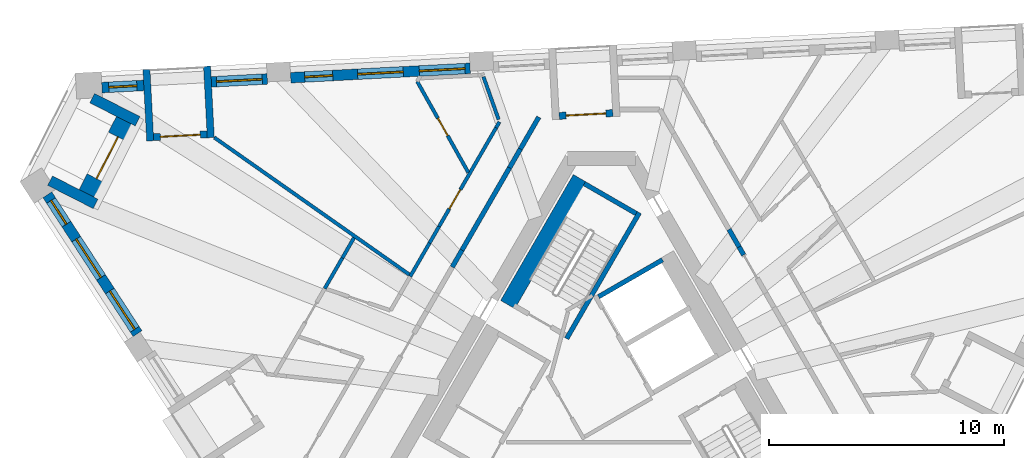
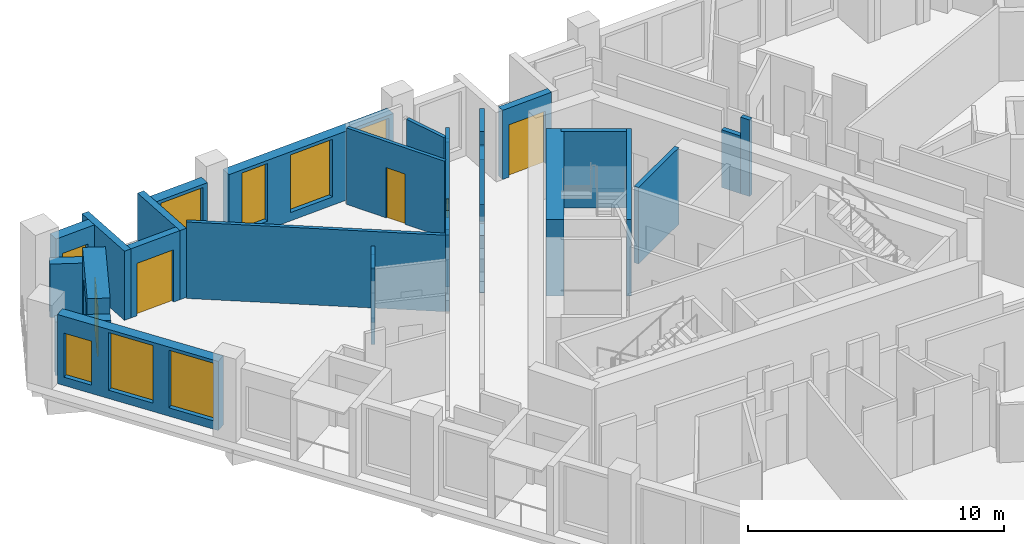
# One storey, part 7 of 13: 30 walls, 8 windows, 5 doors, 13 openings.
"""IFC4 building model written with IfcOpenShell, lengths in metres."""

from ifc_helpers import new_model, si_unit, direction, frame, frame_2d, origin, place, context, subcontext, project, spatial, rectangle, extrude, material, layer, layer_set, type_object, element, fill, save


model = new_model("IFC4")

# Units and contexts
model_context = context("Model", 3, precision=1e-05, world=origin(), true_north=direction((0.0, 1.0)))
body_context = subcontext(model_context, "Body", "Model", "MODEL_VIEW")
ifc_project = project(units=[si_unit("LENGTHUNIT", "METRE"), si_unit("AREAUNIT", "SQUARE_METRE"), si_unit("VOLUMEUNIT", "CUBIC_METRE"), si_unit("PLANEANGLEUNIT", "RADIAN"), si_unit("MASSUNIT", "GRAM", prefix="KILO")], contexts=[model_context])

# Site, building, storey
site_placement = place(None, origin())
site = spatial("IfcSite", under=ifc_project, at=site_placement, CompositionType="ELEMENT")
building_placement = place(site_placement, origin())
building = spatial("IfcBuilding", under=site, at=building_placement, Name="Tramontana Tower", CompositionType="ELEMENT")
storey_placement = place(building_placement, frame((0.0, 0.0, 294.39990234375)))
storey = spatial("IfcBuildingStorey", under=building, at=storey_placement, Name="L69", CompositionType="ELEMENT", Elevation=294.39990234375)

# Walls
ifc_material_1 = material(Name="Blockwork", Category="masonry")
ifc_layer_1 = layer(ifc_material_1, 0.199951171875)
ifc_layer_set_1 = layer_set([ifc_layer_1], Name="ENTRY WALL 200")
wall_type_1 = type_object("IfcWallType", Name="ENTRY WALL 200", PredefinedType="SOLIDWALL", material=ifc_layer_set_1)
wall_1_placement = place(storey_placement, frame((-6.36328125, 6.07861328125, 0.0), z_axis=(0.0, 0.0, 1.0), x_axis=(0.499950631041, 0.86605390509, 0.0)))
element("IfcWall", 1, at=wall_1_placement, inside=storey, type_object=wall_type_1, Name="Wall v71-ew3-8", PredefinedType="SOLIDWALL", context=body_context, shape_type="SweptSolid", body=[
    extrude(rectangle(XDim=0.83349609375, YDim=0.199951171875, at=frame_2d((0.416748046875, 0.0))), origin(), (0.0, 0.0, 1.0), 2.75),
])
wall_2_placement = place(storey_placement, frame((-5.946533203125, 6.800537109375, 0.0), z_axis=(0.0, 0.0, 1.0), x_axis=(0.500007556608, 0.866021040931, 0.0)))
element("IfcWall", 2, at=wall_2_placement, inside=storey, type_object=wall_type_1, Name="Wall v71-ew3-9", PredefinedType="SOLIDWALL", context=body_context, shape_type="SweptSolid", body=[
    extrude(rectangle(XDim=4.05224609375, YDim=0.199951171875, at=frame_2d((2.026123046875, 0.0))), origin(), (0.0, 0.0, 1.0), 3.650146484375),
])
wall_3_placement = place(storey_placement, frame((-3.92041015625, 10.309814453125, 0.0), z_axis=(0.0, 0.0, 1.0), x_axis=(0.500102178127, 0.865966403178, 0.0)))
element("IfcWall", 3, at=wall_3_placement, inside=storey, type_object=wall_type_1, Name="Wall v71-ew3-10", PredefinedType="SOLIDWALL", context=body_context, shape_type="SweptSolid", body=[
    extrude(rectangle(XDim=0.927490234375, YDim=0.199951171875, at=frame_2d((0.4638671875, 0.0))), origin(), (0.0, 0.0, 1.0), 2.9501953125),
])
wall_4_placement = place(storey_placement, frame((-3.45654296875, 11.113037109375, 0.0), z_axis=(0.0, 0.0, 1.0), x_axis=(0.500036592568, 0.866004276025, 0.0)))
element("IfcWall", 4, at=wall_4_placement, inside=storey, type_object=wall_type_1, Name="Wall v71-ew3-11", PredefinedType="SOLIDWALL", context=body_context, shape_type="SweptSolid", body=[
    extrude(rectangle(XDim=1.56982421875, YDim=0.199951171875, at=frame_2d((0.784912109375, 0.0))), origin(), (0.0, 0.0, 1.0), 3.650146484375),
])
wall_5_placement = place(storey_placement, frame((5.435546875, 7.685546875, 0.0), z_axis=(0.0, 0.0, 1.0), x_axis=(0.500056482814, -0.86599279096, 0.0)))
element("IfcWall", 5, at=wall_5_placement, inside=storey, type_object=wall_type_1, Name="Wall v71-ew5-2", PredefinedType="SOLIDWALL", context=body_context, shape_type="SweptSolid", body=[
    extrude(rectangle(XDim=0.86474609375, YDim=0.199951171875, at=frame_2d((0.432373046875, 0.0))), origin(), (0.0, 0.0, 1.0), 2.75),
])
wall_6_placement = place(storey_placement, frame((5.867919921875, 6.936767578125, 0.0), z_axis=(0.0, 0.0, 1.0), x_axis=(0.499526442893, -0.866298639529, 0.0)))
element("IfcWall", 6, at=wall_6_placement, inside=storey, type_object=wall_type_1, Name="Wall v71-ew5-3", PredefinedType="SOLIDWALL", context=body_context, shape_type="SweptSolid", body=[
    extrude(rectangle(XDim=0.3955078125, YDim=0.199951171875, at=frame_2d((0.19775390625, 0.0))), origin(), (0.0, 0.0, 1.0), 3.650146484375),
])

# Wall, openings, windows
ifc_material_2 = material(Name="Precast concrete 60 MPa", Category="concrete")
ifc_layer_2 = layer(ifc_material_2, 0.449951171875)
ifc_layer_set_2 = layer_set([ifc_layer_2], Name="Precast concrete 60 MPa, 450 mm")
wall_type_2 = type_object("IfcWallType", Name="EW1 Stone-faced precast wall 450", PredefinedType="SOLIDWALL", material=ifc_layer_set_2)
wall_7_placement = place(storey_placement, frame((-23.6259765625, 9.160888671875, 0.0), z_axis=(0.0, 0.0, 1.0), x_axis=(0.54463703186, -0.838671868806, 0.0)))
wall_7 = element("IfcWall", 7, at=wall_7_placement, inside=storey, type_object=wall_type_2, Name="External wall L69 face 0 bay 1", PredefinedType="SOLIDWALL", context=body_context, shape_type="SweptSolid", body=[
    extrude(rectangle(XDim=7.06005859375, YDim=0.449951171875, at=frame_2d((3.530029296875, 0.0))), origin(), (0.0, 0.0, 1.0), 3.300048828125),
])
opening_1_placement = place(wall_7_placement, frame((0.29345703125, 0.0, 0.39990234375)))
opening_1 = element("IfcOpeningElement", 8, at=opening_1_placement, cuts=wall_7, Name="Opening N3L", PredefinedType="OPENING", context=body_context, shape_type="SweptSolid", body=[
    extrude(rectangle(XDim=1.199951171875, YDim=2.10009765625, at=frame_2d((0.60009765625, 1.050048828125))), frame((0.0, 0.23486328125, 0.0), z_axis=(0.0, -1.0, 0.0), x_axis=(1.0, 0.0, 0.0)), (0.0, 0.0, 1.0), 0.469970703125),
])
opening_2_placement = place(wall_7_placement, frame((2.255126953125, 0.0, 0.39990234375)))
opening_2 = element("IfcOpeningElement", 9, at=opening_2_placement, cuts=wall_7, Name="Opening M3", PredefinedType="OPENING", context=body_context, shape_type="SweptSolid", body=[
    extrude(rectangle(XDim=1.949951171875, YDim=2.75, at=frame_2d((0.97509765625, 1.375))), frame((0.0, 0.23486328125, 0.0), z_axis=(0.0, -1.0, 0.0), x_axis=(1.0, 0.0, 0.0)), (0.0, 0.0, 1.0), 0.469970703125),
])
opening_3_placement = place(wall_7_placement, frame((4.891845703125, 0.0, 0.39990234375)))
opening_3 = element("IfcOpeningElement", 10, at=opening_3_placement, cuts=wall_7, Name="Opening M3", PredefinedType="OPENING", context=body_context, shape_type="SweptSolid", body=[
    extrude(rectangle(XDim=1.949951171875, YDim=2.75, at=frame_2d((0.97509765625, 1.375))), frame((0.0, 0.23486328125, 0.0), z_axis=(0.0, -1.0, 0.0), x_axis=(1.0, 0.0, 0.0)), (0.0, 0.0, 1.0), 0.469970703125),
])
ifc_material_3 = material(Name="Aluminum frame, double glazing unit", Category="aluminium")
window_type_1 = type_object("IfcWindowType", Name="M3 Window 1.95 x 2.75", PartitioningType="SINGLE_PANEL", PredefinedType="WINDOW", material=ifc_material_3)
window_1_placement = place(opening_2_placement, origin())
window_1 = element("IfcWindow", 11, at=window_1_placement, inside=storey, type_object=window_type_1, Name="Window M3 L69 face 0 module 2", OverallHeight=2.75, OverallWidth=1.949951171875, PartitioningType="SINGLE_PANEL", PredefinedType="WINDOW", context=body_context, shape_type="SweptSolid", body=[
    extrude(rectangle(XDim=1.949951171875, YDim=2.75, at=frame_2d((0.97509765625, 1.375))), frame((0.0, 0.030029296875, 0.0), z_axis=(0.0, -1.0, 0.0), x_axis=(1.0, 0.0, 0.0)), (0.0, 0.0, 1.0), 0.06005859375),
])
fill(opening_2, window_1)
window_2_placement = place(opening_3_placement, origin())
window_2 = element("IfcWindow", 12, at=window_2_placement, inside=storey, type_object=window_type_1, Name="Window M3 L69 face 0 module 3", OverallHeight=2.75, OverallWidth=1.949951171875, PartitioningType="SINGLE_PANEL", PredefinedType="WINDOW", context=body_context, shape_type="SweptSolid", body=[
    extrude(rectangle(XDim=1.949951171875, YDim=2.75, at=frame_2d((0.97509765625, 1.375))), frame((0.0, 0.030029296875, 0.0), z_axis=(0.0, -1.0, 0.0), x_axis=(1.0, 0.0, 0.0)), (0.0, 0.0, 1.0), 0.06005859375),
])
fill(opening_3, window_2)
ifc_material_4 = material(Name="Aluminum frame, double glazing unit", Category="aluminium")
window_type_2 = type_object("IfcWindowType", Name="N3L Window 1.2 x 2.1", PartitioningType="SINGLE_PANEL", PredefinedType="WINDOW", material=ifc_material_4)
window_3_placement = place(opening_1_placement, origin())
window_3 = element("IfcWindow", 13, at=window_3_placement, inside=storey, type_object=window_type_2, Name="Window N3L L69 face 0 module 1", OverallHeight=2.10009765625, OverallWidth=1.199951171875, PartitioningType="SINGLE_PANEL", PredefinedType="WINDOW", context=body_context, shape_type="SweptSolid", body=[
    extrude(rectangle(XDim=1.199951171875, YDim=2.10009765625, at=frame_2d((0.60009765625, 1.050048828125))), frame((0.0, 0.030029296875, 0.0), z_axis=(0.0, -1.0, 0.0), x_axis=(1.0, 0.0, 0.0)), (0.0, 0.0, 1.0), 0.06005859375),
])
fill(opening_1, window_3)

wall_8_placement = place(storey_placement, frame((-5.599365234375, 14.552001953125, 0.0), z_axis=(0.0, 0.0, 1.0), x_axis=(-0.998628023429, -0.052364786088, 0.0)))
wall_8 = element("IfcWall", 14, at=wall_8_placement, inside=storey, type_object=wall_type_2, Name="External wall L69 face 2 bay 4", PredefinedType="SOLIDWALL", context=body_context, shape_type="SweptSolid", body=[
    extrude(rectangle(XDim=7.66015625, YDim=0.449951171875, at=frame_2d((3.830078125, 0.0))), origin(), (0.0, 0.0, 1.0), 3.300048828125),
])
opening_4_placement = place(wall_8_placement, frame((0.21826171875, 0.0, 0.39990234375)))
opening_4 = element("IfcOpeningElement", 15, at=opening_4_placement, cuts=wall_8, Name="Opening M3", PredefinedType="OPENING", context=body_context, shape_type="SweptSolid", body=[
    extrude(rectangle(XDim=1.949951171875, YDim=2.75, at=frame_2d((0.97509765625, 1.375))), frame((0.0, 0.23486328125, 0.0), z_axis=(0.0, -1.0, 0.0), x_axis=(1.0, 0.0, 0.0)), (0.0, 0.0, 1.0), 0.469970703125),
])
opening_5_placement = place(wall_8_placement, frame((2.855224609375, 0.0, 0.39990234375)))
opening_5 = element("IfcOpeningElement", 16, at=opening_5_placement, cuts=wall_8, Name="Opening M3", PredefinedType="OPENING", context=body_context, shape_type="SweptSolid", body=[
    extrude(rectangle(XDim=1.949951171875, YDim=2.75, at=frame_2d((0.97509765625, 1.375))), frame((0.0, 0.23486328125, 0.0), z_axis=(0.0, -1.0, 0.0), x_axis=(1.0, 0.0, 0.0)), (0.0, 0.0, 1.0), 0.469970703125),
])
opening_6_placement = place(wall_8_placement, frame((5.866943359375, 0.0, 0.39990234375)))
opening_6 = element("IfcOpeningElement", 17, at=opening_6_placement, cuts=wall_8, Name="Opening N3", PredefinedType="OPENING", context=body_context, shape_type="SweptSolid", body=[
    extrude(rectangle(XDim=1.199951171875, YDim=2.75, at=frame_2d((0.60009765625, 1.375))), frame((0.0, 0.23486328125, 0.0), z_axis=(0.0, -1.0, 0.0), x_axis=(1.0, 0.0, 0.0)), (0.0, 0.0, 1.0), 0.469970703125),
])
window_4_placement = place(opening_4_placement, origin())
window_4 = element("IfcWindow", 18, at=window_4_placement, inside=storey, type_object=window_type_1, Name="Window M3 L69 face 2 module 10", OverallHeight=2.75, OverallWidth=1.949951171875, PartitioningType="SINGLE_PANEL", PredefinedType="WINDOW", context=body_context, shape_type="SweptSolid", body=[
    extrude(rectangle(XDim=1.949951171875, YDim=2.75, at=frame_2d((0.97509765625, 1.375))), frame((0.0, 0.030029296875, 0.0), z_axis=(0.0, -1.0, 0.0), x_axis=(1.0, 0.0, 0.0)), (0.0, 0.0, 1.0), 0.06005859375),
])
fill(opening_4, window_4)
window_5_placement = place(opening_5_placement, origin())
window_5 = element("IfcWindow", 19, at=window_5_placement, inside=storey, type_object=window_type_1, Name="Window M3 L69 face 2 module 11", OverallHeight=2.75, OverallWidth=1.949951171875, PartitioningType="SINGLE_PANEL", PredefinedType="WINDOW", context=body_context, shape_type="SweptSolid", body=[
    extrude(rectangle(XDim=1.949951171875, YDim=2.75, at=frame_2d((0.97509765625, 1.375))), frame((0.0, 0.030029296875, 0.0), z_axis=(0.0, -1.0, 0.0), x_axis=(1.0, 0.0, 0.0)), (0.0, 0.0, 1.0), 0.06005859375),
])
fill(opening_5, window_5)
ifc_material_5 = material(Name="Aluminum frame, double glazing unit", Category="aluminium")
window_type_3 = type_object("IfcWindowType", Name="N3 Window 1.2 x 2.75", PartitioningType="SINGLE_PANEL", PredefinedType="WINDOW", material=ifc_material_5)
window_6_placement = place(opening_6_placement, origin())
window_6 = element("IfcWindow", 20, at=window_6_placement, inside=storey, type_object=window_type_3, Name="Window N3 L69 face 2 module 12", OverallHeight=2.75, OverallWidth=1.199951171875, PartitioningType="SINGLE_PANEL", PredefinedType="WINDOW", context=body_context, shape_type="SweptSolid", body=[
    extrude(rectangle(XDim=1.199951171875, YDim=2.75, at=frame_2d((0.60009765625, 1.375))), frame((0.0, 0.030029296875, 0.0), z_axis=(0.0, -1.0, 0.0), x_axis=(1.0, 0.0, 0.0)), (0.0, 0.0, 1.0), 0.06005859375),
])
fill(opening_6, window_6)

# Wall, opening, window
wall_9_placement = place(storey_placement, frame((-14.247802734375, 14.0986328125, 0.0), z_axis=(0.0, 0.0, 1.0), x_axis=(-0.998627701279, -0.052370929331, 0.0)))
wall_9 = element("IfcWall", 21, at=wall_9_placement, inside=storey, type_object=wall_type_2, Name="External wall L69 face 2 bay 5", PredefinedType="SOLIDWALL", context=body_context, shape_type="SweptSolid", body=[
    extrude(rectangle(XDim=2.38671875, YDim=0.449951171875, at=frame_2d((1.193359375, 0.0))), origin(), (0.0, 0.0, 1.0), 3.300048828125),
])
opening_7_placement = place(wall_9_placement, frame((0.21826171875, 0.0, 0.39990234375)))
opening_7 = element("IfcOpeningElement", 22, at=opening_7_placement, cuts=wall_9, Name="Opening M3", PredefinedType="OPENING", context=body_context, shape_type="SweptSolid", body=[
    extrude(rectangle(XDim=1.949951171875, YDim=2.75, at=frame_2d((0.97509765625, 1.375))), frame((0.0, 0.23486328125, 0.0), z_axis=(0.0, -1.0, 0.0), x_axis=(1.0, 0.0, 0.0)), (0.0, 0.0, 1.0), 0.469970703125),
])
window_7_placement = place(opening_7_placement, origin())
window_7 = element("IfcWindow", 23, at=window_7_placement, inside=storey, type_object=window_type_1, Name="Window M3 L69 face 2 module 13", OverallHeight=2.75, OverallWidth=1.949951171875, PartitioningType="SINGLE_PANEL", PredefinedType="WINDOW", context=body_context, shape_type="SweptSolid", body=[
    extrude(rectangle(XDim=1.949951171875, YDim=2.75, at=frame_2d((0.97509765625, 1.375))), frame((0.0, 0.030029296875, 0.0), z_axis=(0.0, -1.0, 0.0), x_axis=(1.0, 0.0, 0.0)), (0.0, 0.0, 1.0), 0.06005859375),
])
fill(opening_7, window_7)

wall_10_placement = place(storey_placement, frame((-19.51416015625, 13.82275390625, 0.0), z_axis=(0.0, 0.0, 1.0), x_axis=(-0.998629506551, -0.052336494391, 0.0)))
wall_10 = element("IfcWall", 24, at=wall_10_placement, inside=storey, type_object=wall_type_2, Name="External wall L69 face 2 bay 5", PredefinedType="SOLIDWALL", context=body_context, shape_type="SweptSolid", body=[
    extrude(rectangle(XDim=1.78662109375, YDim=0.449951171875, at=frame_2d((0.893310546875, 0.0))), origin(), (0.0, 0.0, 1.0), 3.300048828125),
])
opening_8_placement = place(wall_10_placement, frame((0.29345703125, 0.0, 0.39990234375)))
opening_8 = element("IfcOpeningElement", 25, at=opening_8_placement, cuts=wall_10, Name="Opening N3L", PredefinedType="OPENING", context=body_context, shape_type="SweptSolid", body=[
    extrude(rectangle(XDim=1.199951171875, YDim=2.10009765625, at=frame_2d((0.60009765625, 1.050048828125))), frame((0.0, 0.23486328125, 0.0), z_axis=(0.0, -1.0, 0.0), x_axis=(1.0, 0.0, 0.0)), (0.0, 0.0, 1.0), 0.469970703125),
])
window_8_placement = place(opening_8_placement, origin())
window_8 = element("IfcWindow", 26, at=window_8_placement, inside=storey, type_object=window_type_2, Name="Window N3L L69 face 2 module 15", OverallHeight=2.10009765625, OverallWidth=1.199951171875, PartitioningType="SINGLE_PANEL", PredefinedType="WINDOW", context=body_context, shape_type="SweptSolid", body=[
    extrude(rectangle(XDim=1.199951171875, YDim=2.10009765625, at=frame_2d((0.60009765625, 1.050048828125))), frame((0.0, 0.030029296875, 0.0), z_axis=(0.0, -1.0, 0.0), x_axis=(1.0, 0.0, 0.0)), (0.0, 0.0, 1.0), 0.06005859375),
])
fill(opening_8, window_8)

# Walls
wall_11_placement = place(storey_placement, frame((-23.509765625, 9.76220703125, 0.0), z_axis=(0.0, 0.0, 1.0), x_axis=(0.891041206664, -0.45392242512, 0.0)))
element("IfcWall", 27, at=wall_11_placement, inside=storey, type_object=wall_type_2, Name="Corner loggia side wall L69 K70l", PredefinedType="SOLIDWALL", context=body_context, shape_type="SweptSolid", body=[
    extrude(rectangle(XDim=2.179443359375, YDim=0.449951171875, at=frame_2d((1.08984375, 0.0))), origin(), (0.0, 0.0, 1.0), 2.550048828125),
])
wall_12_placement = place(storey_placement, frame((-21.71630859375, 13.28173828125, 0.0), z_axis=(0.0, 0.0, 1.0), x_axis=(0.890972801346, -0.454056678468, 0.0)))
element("IfcWall", 28, at=wall_12_placement, inside=storey, type_object=wall_type_2, Name="Corner loggia side wall L69 K70r", PredefinedType="SOLIDWALL", context=body_context, shape_type="SweptSolid", body=[
    extrude(rectangle(XDim=2.17919921875, YDim=0.449951171875, at=frame_2d((1.089599609375, 0.0))), origin(), (0.0, 0.0, 1.0), 2.550048828125),
])

# Wall, opening, door
ifc_material_6 = material(Name="Precast concrete 60 MPa", Category="concrete")
ifc_layer_3 = layer(ifc_material_6, 0.89990234375)
ifc_layer_set_3 = layer_set([ifc_layer_3], Name="EW2 Stone-faced corner loggia wall 900")
wall_type_3 = type_object("IfcWallType", Name="EW2 Stone-faced corner loggia wall 900", PredefinedType="SOLIDWALL", material=ifc_layer_set_3)
wall_13_placement = place(storey_placement, frame((-21.86669921875, 9.177734375, 0.0), z_axis=(0.0, 0.0, 1.0), x_axis=(0.453981164527, 0.891011280655, 0.0)))
wall_13 = element("IfcWall", 29, at=wall_13_placement, inside=storey, type_object=wall_type_3, Name="Corner loggia wall L69 K70", PredefinedType="SOLIDWALL", context=body_context, shape_type="SweptSolid", body=[
    extrude(rectangle(XDim=3.499755859375, YDim=0.89990234375, at=frame_2d((1.75, 0.0))), origin(), (0.0, 0.0, 1.0), 3.300048828125),
])
opening_9_placement = place(wall_13_placement, frame((0.75, 0.0, 0.0)))
opening_9 = element("IfcOpeningElement", 30, at=opening_9_placement, cuts=wall_13, Name="Opening BD-70C", PredefinedType="OPENING", context=body_context, shape_type="SweptSolid", body=[
    extrude(rectangle(XDim=2.0, YDim=2.39990234375, at=frame_2d((1.0, 1.199951171875))), frame((0.0, 0.4599609375, 0.0), z_axis=(0.0, -1.0, 0.0), x_axis=(1.0, 0.0, 0.0)), (0.0, 0.0, 1.0), 0.919921875),
])
ifc_material_7 = material(Name="Aluminum frame, double glazing unit", Category="aluminium")
door_type_1 = type_object("IfcDoorType", Name="BC1 Sliding door 2 x 2.4", OperationType="SLIDING_TO_LEFT", PredefinedType="DOOR", material=ifc_material_7)
door_1_placement = place(opening_9_placement, origin())
door_1 = element("IfcDoor", 31, at=door_1_placement, inside=storey, type_object=door_type_1, Name="Corner loggia door L69 K70", OperationType="SLIDING_TO_LEFT", OverallHeight=2.39990234375, OverallWidth=2.0, PredefinedType="DOOR", context=body_context, shape_type="SweptSolid", body=[
    extrude(rectangle(XDim=2.0, YDim=2.39990234375, at=frame_2d((1.0, 1.199951171875))), frame((0.0, 0.02490234375, 0.0), z_axis=(0.0, -1.0, 0.0), x_axis=(1.0, 0.0, 0.0)), (0.0, 0.0, 1.0), 0.050048828125),
])
fill(opening_9, door_1)

ifc_material_8 = material(Name="Precast concrete 60 MPa", Category="concrete")
ifc_layer_4 = layer(ifc_material_8, 0.300048828125)
ifc_layer_set_4 = layer_set([ifc_layer_4], Name="LW1 Stone-faced loggia wall 300")
wall_type_4 = type_object("IfcWallType", Name="LW1 Stone-faced loggia wall 300", PredefinedType="SOLIDWALL", material=ifc_layer_set_4)
wall_14_placement = place(storey_placement, frame((0.482421875, 12.642578125, 0.0), z_axis=(0.0, 0.0, 1.0), x_axis=(-0.998630775221, -0.052312281362, 0.0)))
wall_14 = element("IfcWall", 32, at=wall_14_placement, inside=storey, type_object=wall_type_4, Name="Loggia wall L69 G7S2.7", PredefinedType="SOLIDWALL", context=body_context, shape_type="SweptSolid", body=[
    extrude(rectangle(XDim=2.286865234375, YDim=0.300048828125, at=frame_2d((1.1435546875, 0.0))), origin(), (0.0, 0.0, 1.0), 3.300048828125),
])
opening_10_placement = place(wall_14_placement, frame((0.29345703125, 0.0, 0.0)))
opening_10 = element("IfcOpeningElement", 33, at=opening_10_placement, cuts=wall_14, Name="Opening BD-7S2-07", PredefinedType="OPENING", context=body_context, shape_type="SweptSolid", body=[
    extrude(rectangle(XDim=1.699951171875, YDim=2.5, at=frame_2d((0.85009765625, 1.25))), frame((0.0, 0.159912109375, 0.0), z_axis=(0.0, -1.0, 0.0), x_axis=(1.0, 0.0, 0.0)), (0.0, 0.0, 1.0), 0.320068359375),
])
ifc_material_9 = material(Name="Aluminum frame, double glazing unit", Category="aluminium")
door_type_2 = type_object("IfcDoorType", Name="BD3 Sliding door 1.7 x 2.5", OperationType="SLIDING_TO_LEFT", PredefinedType="DOOR", material=ifc_material_9)
door_2_placement = place(opening_10_placement, origin())
door_2 = element("IfcDoor", 34, at=door_2_placement, inside=storey, type_object=door_type_2, Name="Loggia door L69 G7S2.7", OperationType="SLIDING_TO_LEFT", OverallHeight=2.5, OverallWidth=1.699951171875, PredefinedType="DOOR", context=body_context, shape_type="SweptSolid", body=[
    extrude(rectangle(XDim=1.699951171875, YDim=2.5, at=frame_2d((0.85009765625, 1.25))), frame((0.0, 0.02490234375, 0.0), z_axis=(0.0, -1.0, 0.0), x_axis=(1.0, 0.0, 0.0)), (0.0, 0.0, 1.0), 0.050048828125),
])
fill(opening_10, door_2)

wall_15_placement = place(storey_placement, frame((-16.814453125, 11.736083984375, 0.0), z_axis=(0.0, 0.0, 1.0), x_axis=(-0.998630483018, -0.052317859155, 0.0)))
wall_15 = element("IfcWall", 35, at=wall_15_placement, inside=storey, type_object=wall_type_4, Name="Loggia wall L69 G7S2.13", PredefinedType="SOLIDWALL", context=body_context, shape_type="SweptSolid", body=[
    extrude(rectangle(XDim=2.28662109375, YDim=0.300048828125, at=frame_2d((1.143310546875, 0.0))), origin(), (0.0, 0.0, 1.0), 3.300048828125),
])
opening_11_placement = place(wall_15_placement, frame((0.29345703125, 0.0, 0.0)))
opening_11 = element("IfcOpeningElement", 36, at=opening_11_placement, cuts=wall_15, Name="Opening BD-7S2-13", PredefinedType="OPENING", context=body_context, shape_type="SweptSolid", body=[
    extrude(rectangle(XDim=1.699951171875, YDim=2.5, at=frame_2d((0.85009765625, 1.25))), frame((0.0, 0.159912109375, 0.0), z_axis=(0.0, -1.0, 0.0), x_axis=(1.0, 0.0, 0.0)), (0.0, 0.0, 1.0), 0.320068359375),
])
door_3_placement = place(opening_11_placement, origin())
door_3 = element("IfcDoor", 37, at=door_3_placement, inside=storey, type_object=door_type_2, Name="Loggia door L69 G7S2.13", OperationType="SLIDING_TO_LEFT", OverallHeight=2.5, OverallWidth=1.699951171875, PredefinedType="DOOR", context=body_context, shape_type="SweptSolid", body=[
    extrude(rectangle(XDim=1.699951171875, YDim=2.5, at=frame_2d((0.85009765625, 1.25))), frame((0.0, 0.02490234375, 0.0), z_axis=(0.0, -1.0, 0.0), x_axis=(1.0, 0.0, 0.0)), (0.0, 0.0, 1.0), 0.050048828125),
])
fill(opening_11, door_3)

# Walls
wall_16_placement = place(storey_placement, frame((-16.81640625, 14.639892578125, 0.0), z_axis=(0.0, 0.0, 1.0), x_axis=(0.052352956549, -0.998628643661, 0.0)))
element("IfcWall", 38, at=wall_16_placement, inside=storey, type_object=wall_type_4, Name="Loggia return L69 G7S2.13a", PredefinedType="SOLIDWALL", context=body_context, shape_type="SweptSolid", body=[
    extrude(rectangle(XDim=3.0498046875, YDim=0.300048828125, at=frame_2d((1.52490234375, 0.0))), origin(), (0.0, 0.0, 1.0), 3.300048828125),
])
wall_17_placement = place(storey_placement, frame((-19.399658203125, 14.504638671875, 0.0), z_axis=(0.0, 0.0, 1.0), x_axis=(0.052348771756, -0.99862886304, 0.0)))
element("IfcWall", 39, at=wall_17_placement, inside=storey, type_object=wall_type_4, Name="Loggia return L69 G7S2.13b", PredefinedType="SOLIDWALL", context=body_context, shape_type="SweptSolid", body=[
    extrude(rectangle(XDim=3.050048828125, YDim=0.300048828125, at=frame_2d((1.52490234375, 0.0))), origin(), (0.0, 0.0, 1.0), 3.300048828125),
])
ifc_material_10 = material(Name="Gypsum board partition")
ifc_layer_5 = layer(ifc_material_10, 0.14990234375)
ifc_layer_set_5 = layer_set([ifc_layer_5], Name="PARTITION 150")
wall_type_5 = type_object("IfcWallType", Name="PARTITION 150", PredefinedType="PARTITIONING", material=ifc_layer_set_5)
wall_18_placement = place(storey_placement, frame((-16.5068359375, 11.60205078125, 0.0), z_axis=(0.0, 0.0, 1.0), x_axis=(0.818128766515, -0.575035061018, 0.0)))
element("IfcWall", 40, at=wall_18_placement, inside=storey, type_object=wall_type_5, Name="Wall v71-pw00", PredefinedType="PARTITIONING", context=body_context, shape_type="SweptSolid", body=[
    extrude(rectangle(XDim=10.16162109375, YDim=0.14990234375, at=frame_2d((5.080810546875, 0.0))), origin(), (0.0, 0.0, 1.0), 3.650146484375),
])
wall_19_placement = place(storey_placement, frame((-11.7998046875, 5.162109375, 0.0), z_axis=(0.0, 0.0, 1.0), x_axis=(0.500035089595, 0.866005143849, 0.0)))
element("IfcWall", 41, at=wall_19_placement, inside=storey, type_object=wall_type_5, Name="Wall v71-pw04-3", PredefinedType="PARTITIONING", context=body_context, shape_type="SweptSolid", body=[
    extrude(rectangle(XDim=1.509765625, YDim=0.14990234375, at=frame_2d((0.7548828125, 0.0))), origin(), (0.0, 0.0, 1.0), 3.650146484375),
])
wall_20_placement = place(storey_placement, frame((-11.044921875, 6.469482421875, 0.0), z_axis=(0.0, 0.0, 1.0), x_axis=(0.499836639736, 0.866119699335, 0.0)))
element("IfcWall", 42, at=wall_20_placement, inside=storey, type_object=wall_type_5, Name="Wall v71-pw04-4", PredefinedType="PARTITIONING", context=body_context, shape_type="SweptSolid", body=[
    extrude(rectangle(XDim=0.987060546875, YDim=0.14990234375, at=frame_2d((0.49365234375, 0.0))), origin(), (0.0, 0.0, 1.0), 2.550048828125),
])
wall_21_placement = place(storey_placement, frame((-8.154296875, 5.67626953125, 0.0), z_axis=(0.0, 0.0, 1.0), x_axis=(0.499922922324, 0.866069900028, 0.0)))
element("IfcWall", 43, at=wall_21_placement, inside=storey, type_object=wall_type_5, Name="Wall v71-pw10-2", PredefinedType="PARTITIONING", context=body_context, shape_type="SweptSolid", body=[
    extrude(rectangle(XDim=1.651611328125, YDim=0.14990234375, at=frame_2d((0.82568359375, 0.0))), origin(), (0.0, 0.0, 1.0), 3.650146484375),
])
wall_22_placement = place(storey_placement, frame((-7.32861328125, 7.106689453125, 0.0), z_axis=(0.0, 0.0, 1.0), x_axis=(0.500106313205, 0.865964015126, 0.0)))
element("IfcWall", 44, at=wall_22_placement, inside=storey, type_object=wall_type_5, Name="Wall v71-pw10-3", PredefinedType="PARTITIONING", context=body_context, shape_type="SweptSolid", body=[
    extrude(rectangle(XDim=0.807373046875, YDim=0.14990234375, at=frame_2d((0.40380859375, 0.0))), origin(), (0.0, 0.0, 1.0), 2.75),
])

# Wall, opening, door
wall_23_placement = place(storey_placement, frame((-6.9248046875, 7.805908203125, 0.0), z_axis=(0.0, 0.0, 1.0), x_axis=(0.500012305324, 0.866018299186, 0.0)))
wall_23 = element("IfcWall", 45, at=wall_23_placement, inside=storey, type_object=wall_type_5, Name="Wall v71-pw10-4", PredefinedType="PARTITIONING", context=body_context, shape_type="SweptSolid", body=[
    extrude(rectangle(XDim=4.86083984375, YDim=0.14990234375, at=frame_2d((2.430419921875, 0.0))), origin(), (0.0, 0.0, 1.0), 3.650146484375),
])
opening_12_placement = place(wall_23_placement, frame((0.872314453125, 0.0, 0.0)))
opening_12 = element("IfcOpeningElement", 46, at=opening_12_placement, cuts=wall_23, Name="Opening B7B-04", PredefinedType="OPENING", context=body_context, shape_type="SweptSolid", body=[
    extrude(rectangle(XDim=0.949951171875, YDim=2.39990234375, at=frame_2d((0.47509765625, 1.199951171875))), frame((0.0, 0.0849609375, 0.0), z_axis=(0.0, -1.0, 0.0), x_axis=(1.0, 0.0, 0.0)), (0.0, 0.0, 1.0), 0.169921875),
])
ifc_material_11 = material(Name="Painted timber", Category="wood")
door_type_3 = type_object("IfcDoorType", Name="DOOR ROOM 950", OperationType="SINGLE_SWING_LEFT", PredefinedType="DOOR", material=ifc_material_11)
door_4_placement = place(opening_12_placement, origin())
door_4 = element("IfcDoor", 47, at=door_4_placement, inside=storey, type_object=door_type_3, Name="Door B7B-04", OperationType="SINGLE_SWING_RIGHT", OverallHeight=2.39990234375, OverallWidth=0.949951171875, PredefinedType="DOOR", context=body_context, shape_type="SweptSolid", body=[
    extrude(rectangle(XDim=0.949951171875, YDim=2.39990234375, at=frame_2d((0.47509765625, 1.199951171875))), frame((0.0, 0.02490234375, 0.0), z_axis=(0.0, -1.0, 0.0), x_axis=(1.0, 0.0, 0.0)), (0.0, 0.0, 1.0), 0.050048828125),
])
fill(opening_12, door_4)

# Wall
wall_24_placement = place(storey_placement, frame((-4.494384765625, 12.015380859375, 0.0), z_axis=(0.0, 0.0, 1.0), x_axis=(0.500109828528, 0.865961984968, 0.0)))
element("IfcWall", 48, at=wall_24_placement, inside=storey, type_object=wall_type_5, Name="Wall v71-pw10-5", PredefinedType="PARTITIONING", context=body_context, shape_type="SweptSolid", body=[
    extrude(rectangle(XDim=0.291015625, YDim=0.14990234375, at=frame_2d((0.1455078125, 0.0))), origin(), (0.0, 0.0, 1.0), 2.9501953125),
])

# Wall, opening, door
wall_25_placement = place(storey_placement, frame((-7.8564453125, 13.9921875, 0.0), z_axis=(0.0, 0.0, 1.0), x_axis=(0.489580886803, -0.871957886183, 0.0)))
wall_25 = element("IfcWall", 49, at=wall_25_placement, inside=storey, type_object=wall_type_5, Name="Wall v71-pw14", PredefinedType="PARTITIONING", context=body_context, shape_type="SweptSolid", body=[
    extrude(rectangle(XDim=4.44775390625, YDim=0.14990234375, at=frame_2d((2.223876953125, 0.0))), origin(), (0.0, 0.0, 1.0), 3.650146484375),
])
opening_13_placement = place(wall_25_placement, frame((1.798828125, 0.0, 0.0)))
opening_13 = element("IfcOpeningElement", 50, at=opening_13_placement, cuts=wall_25, Name="Opening B7B-06", PredefinedType="OPENING", context=body_context, shape_type="SweptSolid", body=[
    extrude(rectangle(XDim=0.85009765625, YDim=2.39990234375, at=frame_2d((0.425048828125, 1.199951171875))), frame((0.0, 0.0849609375, 0.0), z_axis=(0.0, -1.0, 0.0), x_axis=(1.0, 0.0, 0.0)), (0.0, 0.0, 1.0), 0.169921875),
])
ifc_material_12 = material(Name="Painted timber", Category="wood")
door_type_4 = type_object("IfcDoorType", Name="DOOR BATH 850", OperationType="SINGLE_SWING_LEFT", PredefinedType="DOOR", material=ifc_material_12)
door_5_placement = place(opening_13_placement, origin())
door_5 = element("IfcDoor", 51, at=door_5_placement, inside=storey, type_object=door_type_4, Name="Door B7B-06", OperationType="SINGLE_SWING_RIGHT", OverallHeight=2.39990234375, OverallWidth=0.85009765625, PredefinedType="DOOR", context=body_context, shape_type="SweptSolid", body=[
    extrude(rectangle(XDim=0.85009765625, YDim=2.39990234375, at=frame_2d((0.425048828125, 1.199951171875))), frame((0.0, 0.02490234375, 0.0), z_axis=(0.0, -1.0, 0.0), x_axis=(1.0, 0.0, 0.0)), (0.0, 0.0, 1.0), 0.050048828125),
])
fill(opening_13, door_5)

# Walls
wall_26_placement = place(storey_placement, frame((-5.030517578125, 14.190185546875, 0.0), z_axis=(0.0, 0.0, 1.0), x_axis=(0.334134760433, -0.942525310997, 0.0)))
element("IfcWall", 52, at=wall_26_placement, inside=storey, type_object=wall_type_5, Name="Wall v71-pw17-0", PredefinedType="PARTITIONING", context=body_context, shape_type="SweptSolid", body=[
    extrude(rectangle(XDim=1.9326171875, YDim=0.14990234375, at=frame_2d((0.96630859375, 0.0))), origin(), (0.0, 0.0, 1.0), 2.9501953125),
])
ifc_material_13 = material(Name="Concrete 70 MPa", Category="concrete")
ifc_layer_6 = layer(ifc_material_13, 0.699951171875)
ifc_layer_set_6 = layer_set([ifc_layer_6], Name="Concrete 70 MPa, 700 mm")
wall_type_6 = type_object("IfcWallType", Name="RC SHAFT BACK WALL 700", PredefinedType="SOLIDWALL", material=ifc_layer_set_6)
wall_27_placement = place(storey_placement, frame((-0.896240234375, 9.847412109375, 0.0), z_axis=(0.0, 0.0, 1.0), x_axis=(-0.500009909098, -0.866019682689, 0.0)))
element("IfcWall", 53, at=wall_27_placement, inside=storey, type_object=wall_type_6, Name="Wall st1-back", PredefinedType="SOLIDWALL", context=body_context, shape_type="SweptSolid", body=[
    extrude(rectangle(XDim=6.199951171875, YDim=0.699951171875, at=frame_2d((3.10009765625, 0.0))), origin(), (0.0, 0.0, 1.0), 3.650146484375),
])
ifc_material_14 = material(Name="Concrete 70 MPa", Category="concrete")
ifc_layer_7 = layer(ifc_material_14, 0.199951171875)
ifc_layer_set_7 = layer_set([ifc_layer_7], Name="Concrete 70 MPa, 200 mm")
wall_type_7 = type_object("IfcWallType", Name="RC STAIR AND SHAFT WALL 200", PredefinedType="SOLIDWALL", material=ifc_layer_set_7)
wall_28_placement = place(storey_placement, frame((1.615234375, 8.3974609375, 0.0), z_axis=(0.0, 0.0, 1.0), x_axis=(-0.500009909098, -0.866019682689, 0.0)))
element("IfcWall", 54, at=wall_28_placement, inside=storey, type_object=wall_type_7, Name="Wall st1-front", PredefinedType="SOLIDWALL", context=body_context, shape_type="SweptSolid", body=[
    extrude(rectangle(XDim=6.199951171875, YDim=0.199951171875, at=frame_2d((3.10009765625, 0.0))), origin(), (0.0, 0.0, 1.0), 3.650146484375),
])
wall_29_placement = place(storey_placement, frame((1.478515625, 8.36083984375, 0.0), z_axis=(0.0, 0.0, 1.0), x_axis=(-0.865989465428, 0.500062241894, 0.0)))
element("IfcWall", 55, at=wall_29_placement, inside=storey, type_object=wall_type_7, Name="Wall st1-far", PredefinedType="SOLIDWALL", context=body_context, shape_type="SweptSolid", body=[
    extrude(rectangle(XDim=2.550048828125, YDim=0.199951171875, at=frame_2d((1.27490234375, 0.0))), origin(), (0.0, 0.0, 1.0), 3.650146484375),
])
wall_30_placement = place(storey_placement, frame((-0.123046875, 4.813232421875, 0.0), z_axis=(0.0, 0.0, 1.0), x_axis=(0.866016494683, 0.500015430699, 0.0)))
element("IfcWall", 56, at=wall_30_placement, inside=storey, type_object=wall_type_7, Name="Wall row2-side2", PredefinedType="SOLIDWALL", context=body_context, shape_type="SweptSolid", body=[
    extrude(rectangle(XDim=3.14990234375, YDim=0.199951171875, at=frame_2d((1.574951171875, 0.0))), origin(), (0.0, 0.0, 1.0), 3.650146484375),
])

save(model, "model.ifc")
